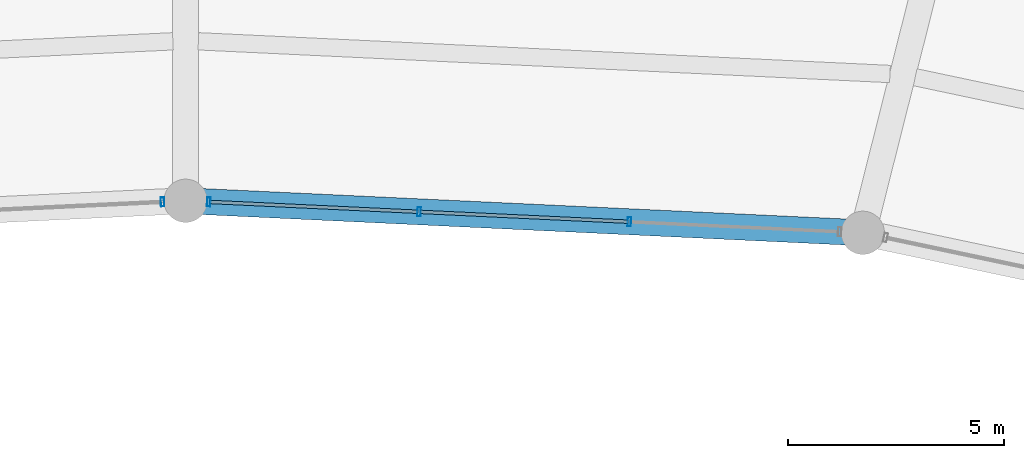
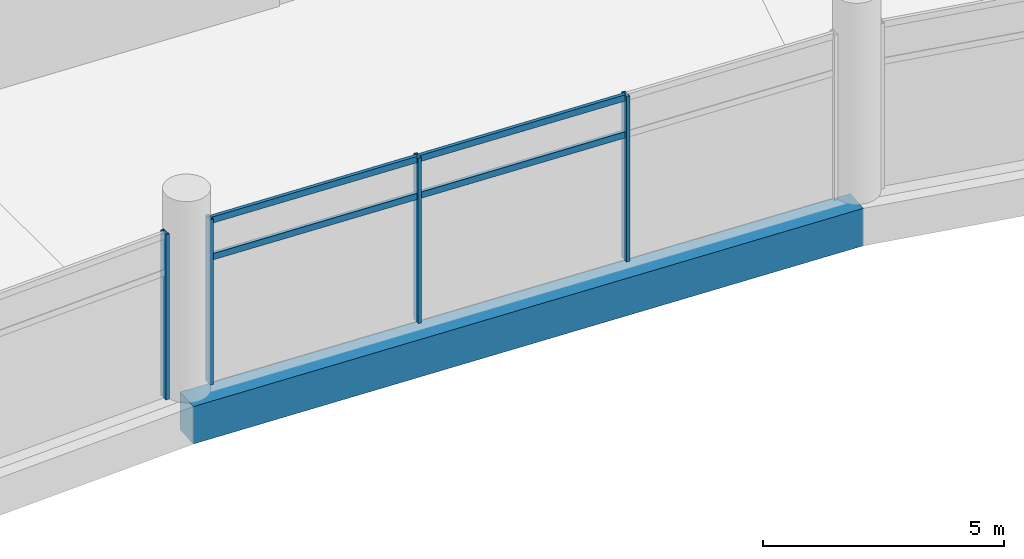
# One storey, part 110 of 184: 8 members, 1 beam, 2 elements without a shape of their own.
"""IFC4 building model written with IfcOpenShell, lengths in metres."""

from ifc_helpers import new_model, si_unit, direction, frame, origin, origin_2d, place, context, subcontext, project, spatial, rectangle, hollow_rectangle, extrude, material, layer, layer_set, material_profile, profile_set, type_object, element, aggregate, save


model = new_model("IFC4")

# Units and contexts
model_context = context("Model", 3, precision=1e-05, world=origin(), true_north=direction((0.0, 1.0)))
body_context = subcontext(model_context, "Body", "Model", "MODEL_VIEW")
ifc_project = project(units=[si_unit("LENGTHUNIT", "METRE"), si_unit("AREAUNIT", "SQUARE_METRE"), si_unit("VOLUMEUNIT", "CUBIC_METRE"), si_unit("PLANEANGLEUNIT", "RADIAN"), si_unit("MASSUNIT", "GRAM", prefix="KILO")], contexts=[model_context])

# Site, building, storey
site_placement = place(None, origin())
site = spatial("IfcSite", under=ifc_project, at=site_placement, CompositionType="ELEMENT")
building_placement = place(site_placement, origin())
building = spatial("IfcBuilding", under=site, at=building_placement, Name="Kazemori Nagisa Stadium", CompositionType="ELEMENT")
storey_placement = place(building_placement, frame((0.0, 0.0, 10.5400390625)))
storey = spatial("IfcBuildingStorey", under=building, at=storey_placement, Name="L02", CompositionType="ELEMENT", Elevation=10.5400390625)

# Beam
ifc_material_1 = material(Name="Concrete C40/50 (Fc42)", Category="concrete")
ifc_material_profile_1 = material_profile(ifc_material_1, rectangle(XDim=0.60009765625, YDim=0.949951171875, at=origin_2d()), Name="RC-BM-600x950")
ifc_profile_set_1 = profile_set([ifc_material_profile_1], Name="Concrete C40/50 (Fc42)")
beam_type = type_object("IfcBeamType", Name="Beam_BG-RC600X950", PredefinedType="BEAM", material=ifc_profile_set_1)
beam_placement = place(storey_placement, frame((138.64208984375, 164.040283203125, -0.735107421875), z_axis=(-0.998883604512, 0.047239227746, 0.0), x_axis=(-0.047239227746, -0.998883604512, 0.0)))
element("IfcBeam", 1, at=beam_placement, inside=storey, type_object=beam_type, Name="Ring girder BG-RC600X950 L02 R1-07", PredefinedType="BEAM", context=body_context, shape_type="SweptSolid", body=[
    extrude(rectangle(XDim=0.60009765625, YDim=0.949951171875, at=origin_2d()), origin(), (0.0, 0.0, 1.0), 15.65966796875),
])

# Curtain wall, members
ifc_material_2 = material(Name="Anodised aluminium 6063-T5", Category="aluminium")
ifc_layer = layer(ifc_material_2, 0.2099609375, Name="Anodised aluminium 6063-T5", Category="aluminium")
ifc_layer_set = layer_set([ifc_layer], Name="Anodised aluminium 6063-T5")
curtain_wall_type = type_object("IfcCurtainWallType", Name="CW_L02B_73", PredefinedType="USERDEFINED", material=ifc_layer_set)
curtain_wall_1_placement = place(storey_placement, origin())
curtain_wall_1 = element("IfcCurtainWall", 2, at=curtain_wall_1_placement, inside=storey, type_object=curtain_wall_type, Name="Unitised curtain wall CW-L02B-73 L02", ObjectType="UNITISED CURTAIN WALL", PredefinedType="USERDEFINED")
ifc_material_3 = material(Name="Aluminium 6063-T5 anodised", Category="aluminium")
ifc_material_profile_2 = material_profile(ifc_material_3, hollow_rectangle(XDim=0.080078125, YDim=0.2099609375, WallThickness=0.0048828125, at=origin_2d()), Name="ALU-MULL-80x210x5")
ifc_profile_set_2 = profile_set([ifc_material_profile_2], Name="Aluminium 6063-T5 anodised")
member_type_1 = type_object("IfcMemberType", Name="Mullion_M02", PredefinedType="MULLION", material=ifc_profile_set_2)
member_1_placement = place(storey_placement, frame((133.25, 164.29541015625, 0.0), z_axis=(0.0, 0.0, 1.0), x_axis=(-0.998884022476, 0.047230388971, 0.0)))
member_1 = element("IfcMember", 3, at=member_1_placement, type_object=member_type_1, Name="Curtain wall mullion CW-L02B-73-M2", PredefinedType="MULLION", context=body_context, shape_type="SweptSolid", body=[
    extrude(hollow_rectangle(XDim=0.080078125, YDim=0.2099609375, WallThickness=0.0048828125, at=origin_2d()), origin(), (0.0, 0.0, 1.0), 4.18994140625),
])
member_2_placement = place(storey_placement, frame((128.39208984375, 164.525146484375, 0.0), z_axis=(0.0, 0.0, 1.0), x_axis=(-0.998884022476, 0.047230388971, 0.0)))
member_2 = element("IfcMember", 4, at=member_2_placement, type_object=member_type_1, Name="Curtain wall mullion CW-L02B-73-M3", PredefinedType="MULLION", context=body_context, shape_type="SweptSolid", body=[
    extrude(hollow_rectangle(XDim=0.080078125, YDim=0.2099609375, WallThickness=0.0048828125, at=origin_2d()), origin(), (0.0, 0.0, 1.0), 4.18994140625),
])
member_3_placement = place(storey_placement, frame((123.534423828125, 164.754638671875, 0.0), z_axis=(0.0, 0.0, 1.0), x_axis=(-0.998884022476, 0.047230388971, 0.0)))
member_3 = element("IfcMember", 5, at=member_3_placement, type_object=member_type_1, Name="Curtain wall mullion CW-L02B-73-M4", PredefinedType="MULLION", context=body_context, shape_type="SweptSolid", body=[
    extrude(hollow_rectangle(XDim=0.080078125, YDim=0.2099609375, WallThickness=0.0048828125, at=origin_2d()), origin(), (0.0, 0.0, 1.0), 4.18994140625),
])

# Curtain wall, member
curtain_wall_2_placement = place(storey_placement, origin())
curtain_wall_2 = element("IfcCurtainWall", 6, at=curtain_wall_2_placement, inside=storey, type_object=curtain_wall_type, Name="Unitised curtain wall CW-L02B-73 L02", ObjectType="UNITISED CURTAIN WALL", PredefinedType="USERDEFINED")
member_4_placement = place(storey_placement, frame((122.465576171875, 164.754638671875, 0.0), z_axis=(0.0, 0.0, 1.0), x_axis=(-0.998884022476, -0.047230388971, 0.0)))
member_4 = element("IfcMember", 7, at=member_4_placement, type_object=member_type_1, Name="Curtain wall mullion CW-L02B-73-M1", PredefinedType="MULLION", context=body_context, shape_type="SweptSolid", body=[
    extrude(hollow_rectangle(XDim=0.080078125, YDim=0.2099609375, WallThickness=0.0048828125, at=origin_2d()), origin(), (0.0, 0.0, 1.0), 4.18994140625),
])
aggregate(curtain_wall_2, [member_4])

# Member
ifc_material_profile_3 = material_profile(ifc_material_3, hollow_rectangle(XDim=0.080078125, YDim=0.159912109375, WallThickness=0.00390625, at=origin_2d()), Name="ALU-TRAN-80x160x4")
ifc_profile_set_3 = profile_set([ifc_material_profile_3], Name="Aluminium 6063-T5 anodised")
member_type_2 = type_object("IfcMemberType", Name="Transom_T02", PredefinedType="USERDEFINED", material=ifc_profile_set_3)
member_5_placement = place(storey_placement, frame((133.22998046875, 164.29638671875, 3.184326171875), z_axis=(-0.998884227355, 0.047226055748, 0.0), x_axis=(-0.047226055748, -0.998884227355, 0.0)))
member_5 = element("IfcMember", 8, at=member_5_placement, type_object=member_type_2, Name="Curtain wall transom CW-L02B-73-T2-mid", ObjectType="TRANSOM", PredefinedType="USERDEFINED", context=body_context, shape_type="SweptSolid", body=[
    extrude(hollow_rectangle(XDim=0.080078125, YDim=0.159912109375, WallThickness=0.00390625, at=origin_2d()), origin(), (0.0, 0.0, 1.0), 4.8232421875),
])

member_6_placement = place(storey_placement, frame((133.22998046875, 164.29638671875, 4.119873046875), z_axis=(-0.998884227355, 0.047226055748, 0.0), x_axis=(-0.047226055748, -0.998884227355, 0.0)))
member_6 = element("IfcMember", 9, at=member_6_placement, type_object=member_type_2, Name="Curtain wall transom CW-L02B-73-T2-head", ObjectType="TRANSOM", PredefinedType="USERDEFINED", context=body_context, shape_type="SweptSolid", body=[
    extrude(hollow_rectangle(XDim=0.080078125, YDim=0.159912109375, WallThickness=0.00390625, at=origin_2d()), origin(), (0.0, 0.0, 1.0), 4.8232421875),
])

member_7_placement = place(storey_placement, frame((128.372314453125, 164.52587890625, 3.184326171875), z_axis=(-0.99888183829, 0.047276560097, 0.0), x_axis=(-0.047276560097, -0.99888183829, 0.0)))
member_7 = element("IfcMember", 10, at=member_7_placement, type_object=member_type_2, Name="Curtain wall transom CW-L02B-73-T3-mid", ObjectType="TRANSOM", PredefinedType="USERDEFINED", context=body_context, shape_type="SweptSolid", body=[
    extrude(hollow_rectangle(XDim=0.080078125, YDim=0.159912109375, WallThickness=0.00390625, at=origin_2d()), origin(), (0.0, 0.0, 1.0), 4.8232421875),
])

member_8_placement = place(storey_placement, frame((128.372314453125, 164.52587890625, 4.119873046875), z_axis=(-0.99888183829, 0.047276560097, 0.0), x_axis=(-0.047276560097, -0.99888183829, 0.0)))
member_8 = element("IfcMember", 11, at=member_8_placement, type_object=member_type_2, Name="Curtain wall transom CW-L02B-73-T3-head", ObjectType="TRANSOM", PredefinedType="USERDEFINED", context=body_context, shape_type="SweptSolid", body=[
    extrude(hollow_rectangle(XDim=0.080078125, YDim=0.159912109375, WallThickness=0.00390625, at=origin_2d()), origin(), (0.0, 0.0, 1.0), 4.8232421875),
])

aggregate(curtain_wall_1, [member_1, member_2, member_3, member_5, member_6, member_7, member_8])

save(model, "model.ifc")
